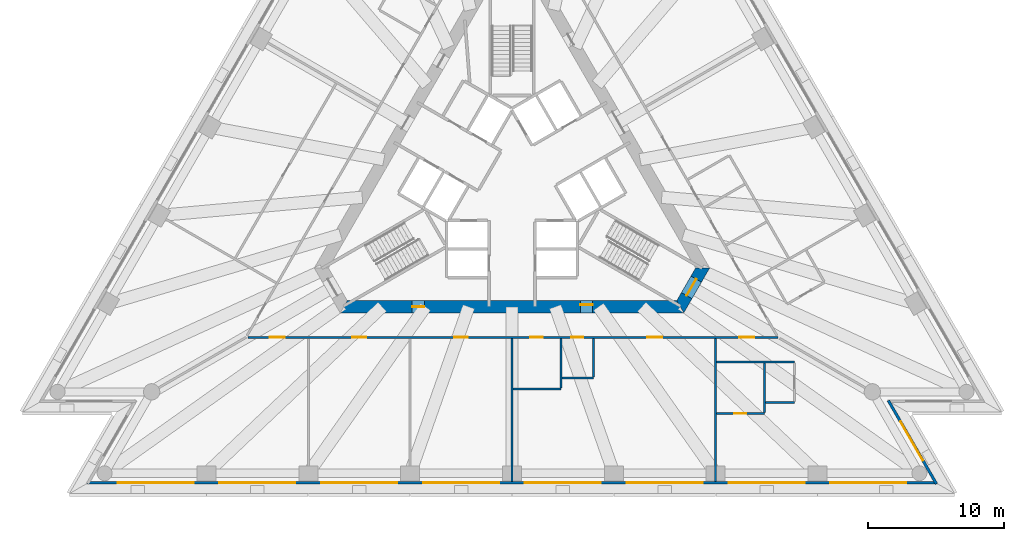
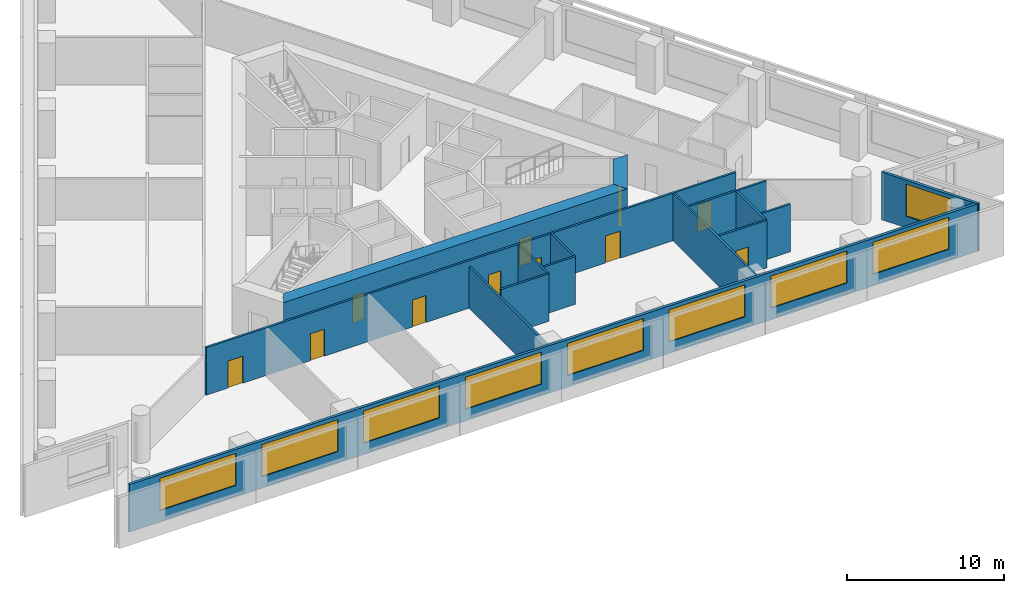
# One storey, part 4 of 9: 15 walls, 11 doors, 9 windows, 20 openings.
"""IFC4 building model written with IfcOpenShell, lengths in metres."""

from ifc_helpers import new_model, si_unit, direction, frame, frame_2d, origin, place, context, subcontext, project, spatial, polyline, rectangle, outline, extrude, material, layer, layer_set, layer_usage, type_object, element, fill, save


model = new_model("IFC4")

# Units and contexts
model_context = context("Model", 3, precision=1e-05, world=origin(), true_north=direction((0.0, 1.0)))
body_context = subcontext(model_context, "Body", "Model", "MODEL_VIEW")
ifc_project = project(units=[si_unit("LENGTHUNIT", "METRE"), si_unit("AREAUNIT", "SQUARE_METRE"), si_unit("VOLUMEUNIT", "CUBIC_METRE"), si_unit("PLANEANGLEUNIT", "RADIAN"), si_unit("MASSUNIT", "GRAM", prefix="KILO")], contexts=[model_context])

# Site, building, storey
site_placement = place(None, origin())
site = spatial("IfcSite", under=ifc_project, at=site_placement, CompositionType="ELEMENT")
building_placement = place(site_placement, origin())
building = spatial("IfcBuilding", under=site, at=building_placement, Name="Triada Interchange Tower", CompositionType="ELEMENT")
storey_placement = place(building_placement, frame((0.0, 0.0, 55.300048828125)))
storey = spatial("IfcBuildingStorey", under=building, at=storey_placement, Name="L11", CompositionType="ELEMENT", Elevation=55.300048828125)

# Wall, openings, doors
ifc_material_1 = material(Name="Concrete C70/85", Category="concrete")
ifc_layer_1 = layer(ifc_material_1, 0.89990234375)
ifc_layer_set_1 = layer_set([ifc_layer_1], Name="Core wall A 900")
wall_type_1 = type_object("IfcWallType", Name="Core wall A 900", PredefinedType="SHEAR", material=ifc_layer_set_1)
wall_1_placement = place(storey_placement, frame((-12.384033203125, -9.050048828125, -0.300048828125), z_axis=(0.0, 0.0, 1.0), x_axis=(1.0, 0.0, 0.0)))
wall_1 = element("IfcWall", 1, at=wall_1_placement, inside=storey, type_object=wall_type_1, Name="Core wall WA04 L11", PredefinedType="SHEAR", context=body_context, shape_type="SweptSolid", body=[
    extrude(outline(polyline([(-0.260009765625, -0.449951171875), (1.685302734375, -0.449951171875), (3.63037109375, -0.449951171875), (5.57568359375, -0.449951171875), (7.52099609375, -0.449951171875), (9.466064453125, -0.449951171875), (11.411376953125, -0.449951171875), (13.356689453125, -0.449951171875), (15.302001953125, -0.449951171875), (17.2470703125, -0.449951171875), (19.1923828125, -0.449951171875), (21.1376953125, -0.449951171875), (23.082763671875, -0.449951171875), (25.028076171875, -0.449951171875), (24.508056640625, 0.449951171875), (22.642822265625, 0.449951171875), (20.777587890625, 0.449951171875), (18.912353515625, 0.449951171875), (17.047119140625, 0.449951171875), (15.181884765625, 0.449951171875), (13.316650390625, 0.449951171875), (11.451416015625, 0.449951171875), (9.586181640625, 0.449951171875), (7.720947265625, 0.449951171875), (5.855712890625, 0.449951171875), (3.990478515625, 0.449951171875), (2.125244140625, 0.449951171875), (0.260009765625, 0.449951171875), (-0.260009765625, -0.449951171875)])), origin(), (0.0, 0.0, 1.0), 4.0),
])
opening_1_placement = place(wall_1_placement, frame((5.0400390625, 0.0, 0.300048828125)))
opening_1 = element("IfcOpeningElement", 2, at=opening_1_placement, cuts=wall_1, Name="Opening D09-40", PredefinedType="OPENING", context=body_context, shape_type="SweptSolid", body=[
    extrude(rectangle(XDim=0.89990234375, YDim=2.10009765625, at=frame_2d((0.449951171875, 1.050048828125))), frame((0.0, 0.4599609375, 0.0), z_axis=(0.0, -1.0, 0.0), x_axis=(1.0, 0.0, 0.0)), (0.0, 0.0, 1.0), 0.919921875),
])
opening_2_placement = place(wall_1_placement, frame((17.425048828125, 0.0, 0.300048828125)))
opening_2 = element("IfcOpeningElement", 3, at=opening_2_placement, cuts=wall_1, Name="Opening D09-41", PredefinedType="OPENING", context=body_context, shape_type="SweptSolid", body=[
    extrude(rectangle(XDim=0.89990234375, YDim=2.10009765625, at=frame_2d((0.449951171875, 1.050048828125))), frame((0.0, 0.4599609375, 0.0), z_axis=(0.0, -1.0, 0.0), x_axis=(1.0, 0.0, 0.0)), (0.0, 0.0, 1.0), 0.919921875),
])
ifc_material_2 = material(Name="Steel S235 door leaf", Category="steel")
door_type_1 = type_object("IfcDoorType", Name="SERVICE DOOR 900 EI2 45-C5S200", OperationType="NOTDEFINED", PredefinedType="DOOR", material=ifc_material_2)
door_1_placement = place(opening_1_placement, origin())
door_1 = element("IfcDoor", 4, at=door_1_placement, inside=storey, type_object=door_type_1, Name="Door D09-40 L11", OperationType="SINGLE_SWING_LEFT", OverallHeight=2.10009765625, OverallWidth=0.89990234375, PredefinedType="DOOR", context=body_context, shape_type="SweptSolid", body=[
    extrude(rectangle(XDim=0.89990234375, YDim=2.10009765625, at=frame_2d((0.449951171875, 1.050048828125))), frame((0.0, 0.02490234375, 0.0), z_axis=(0.0, -1.0, 0.0), x_axis=(1.0, 0.0, 0.0)), (0.0, 0.0, 1.0), 0.050048828125),
])
fill(opening_1, door_1)
door_2_placement = place(opening_2_placement, origin())
door_2 = element("IfcDoor", 5, at=door_2_placement, inside=storey, type_object=door_type_1, Name="Door D09-41 L11", OperationType="SINGLE_SWING_LEFT", OverallHeight=2.10009765625, OverallWidth=0.89990234375, PredefinedType="DOOR", context=body_context, shape_type="SweptSolid", body=[
    extrude(rectangle(XDim=0.89990234375, YDim=2.10009765625, at=frame_2d((0.449951171875, 1.050048828125))), frame((0.0, 0.1748046875, 0.0), z_axis=(0.0, -1.0, 0.0), x_axis=(1.0, 0.0, 0.0)), (0.0, 0.0, 1.0), 0.050048828125),
])
fill(opening_2, door_2)

# Wall, opening, door
wall_2_placement = place(storey_placement, frame((12.384033203125, -9.050048828125, -0.300048828125), z_axis=(0.0, 0.0, 1.0), x_axis=(0.500111984565, 0.865960739811, 0.0)))
wall_2 = element("IfcWall", 6, at=wall_2_placement, inside=storey, type_object=wall_type_1, Name="Core wall WA05 L11", PredefinedType="SHEAR", context=body_context, shape_type="SweptSolid", body=[
    extrude(outline(polyline([(-0.260009765625, -0.449951171875), (1.6455078125, -0.449462890625), (3.551025390625, -0.448974609375), (3.031005859375, 0.449951171875), (1.6455078125, 0.449951171875), (0.260009765625, 0.449951171875), (-0.260009765625, -0.449951171875)])), origin(), (0.0, 0.0, 1.0), 4.0),
])
opening_3_placement = place(wall_2_placement, frame((0.946044921875, 0.0, 0.300048828125)))
opening_3 = element("IfcOpeningElement", 7, at=opening_3_placement, cuts=wall_2, Name="Opening D09-38", PredefinedType="OPENING", context=body_context, shape_type="SweptSolid", body=[
    extrude(rectangle(XDim=1.39990234375, YDim=2.10009765625, at=frame_2d((0.699951171875, 1.050048828125))), frame((0.0, 0.4599609375, 0.0), z_axis=(0.0, -1.0, 0.0), x_axis=(1.0, 0.0, 0.0)), (0.0, 0.0, 1.0), 0.919921875),
])
door_type_2 = type_object("IfcDoorType", Name="STAIR DOOR 1400 EI2 90-C5S200", OperationType="DOUBLE_DOOR_SINGLE_SWING", PredefinedType="DOOR", material=ifc_material_2)
door_3_placement = place(opening_3_placement, origin())
door_3 = element("IfcDoor", 8, at=door_3_placement, inside=storey, type_object=door_type_2, Name="Door D09-38 L11", OperationType="DOUBLE_DOOR_SINGLE_SWING", OverallHeight=2.10009765625, OverallWidth=1.39990234375, PredefinedType="DOOR", context=body_context, shape_type="SweptSolid", body=[
    extrude(rectangle(XDim=1.39990234375, YDim=2.10009765625, at=frame_2d((0.699951171875, 1.050048828125))), frame((0.0, 0.02490234375, 0.0), z_axis=(0.0, -1.0, 0.0), x_axis=(1.0, 0.0, 0.0)), (0.0, 0.0, 1.0), 0.050048828125),
])
fill(opening_3, door_3)

# Wall, openings, windows
ifc_material_3 = material(Name="Cement board")
ifc_layer_2 = layer(ifc_material_3, 0.02001953125, Name="Cement board cladding")
ifc_material_4 = material(Name="Sheathing board")
ifc_layer_3 = layer(ifc_material_4, 0.014892578125, Name="Sheathing board")
ifc_material_5 = material(Name="Mineral wool")
ifc_layer_4 = layer(ifc_material_5, 0.14990234375, Name="Mineral wool between steel studs")
ifc_material_6 = material(Name="Gypsum board")
ifc_layer_5 = layer(ifc_material_6, 0.014892578125, Name="Plasterboard lining")
ifc_layer_set_2 = layer_set([ifc_layer_2, ifc_layer_3, ifc_layer_4, ifc_layer_5], Name="External wall 200")
ifc_layer_usage = layer_usage(ifc_layer_set_2, "AXIS2", "POSITIVE", -0.10009765625)
wall_type_2 = type_object("IfcWallType", Name="External wall 200", PredefinedType="ELEMENTEDWALL", material=ifc_layer_set_2)
wall_3_placement = place(storey_placement, frame((-31.283935546875, -22.007080078125, 0.0), z_axis=(0.0, 0.0, 1.0), x_axis=(1.0, 0.0, 0.0)))
wall_3 = element("IfcWall", 9, at=wall_3_placement, inside=storey, type_object=wall_type_2, material=ifc_layer_usage, Name="External wall L11 S", PredefinedType="ELEMENTEDWALL", context=body_context, shape_type="SweptSolid", body=[
    extrude(rectangle(XDim=62.5478515625, YDim=0.199951171875, at=frame_2d((31.27392578125, 0.0))), origin(), (0.0, 0.0, 1.0), 3.699951171875),
])
opening_4_placement = place(wall_3_placement, frame((2.2509765625, 0.0, 0.89990234375)))
opening_4 = element("IfcOpeningElement", 10, at=opening_4_placement, cuts=wall_3, Name="Opening WA11", PredefinedType="OPENING", context=body_context, shape_type="SweptSolid", body=[
    extrude(rectangle(XDim=5.60009765625, YDim=2.5, at=frame_2d((2.800048828125, 1.25))), frame((0.0, 0.10986328125, 0.0), z_axis=(0.0, -1.0, 0.0), x_axis=(1.0, 0.0, 0.0)), (0.0, 0.0, 1.0), 0.219970703125),
])
opening_5_placement = place(wall_3_placement, frame((9.74609375, 0.0, 0.89990234375)))
opening_5 = element("IfcOpeningElement", 11, at=opening_5_placement, cuts=wall_3, Name="Opening WA12", PredefinedType="OPENING", context=body_context, shape_type="SweptSolid", body=[
    extrude(rectangle(XDim=5.60009765625, YDim=2.5, at=frame_2d((2.800048828125, 1.25))), frame((0.0, 0.10986328125, 0.0), z_axis=(0.0, -1.0, 0.0), x_axis=(1.0, 0.0, 0.0)), (0.0, 0.0, 1.0), 0.219970703125),
])
opening_6_placement = place(wall_3_placement, frame((17.240966796875, 0.0, 0.89990234375)))
opening_6 = element("IfcOpeningElement", 12, at=opening_6_placement, cuts=wall_3, Name="Opening WA13", PredefinedType="OPENING", context=body_context, shape_type="SweptSolid", body=[
    extrude(rectangle(XDim=5.60009765625, YDim=2.5, at=frame_2d((2.800048828125, 1.25))), frame((0.0, 0.10986328125, 0.0), z_axis=(0.0, -1.0, 0.0), x_axis=(1.0, 0.0, 0.0)), (0.0, 0.0, 1.0), 0.219970703125),
])
opening_7_placement = place(wall_3_placement, frame((24.736083984375, 0.0, 0.89990234375)))
opening_7 = element("IfcOpeningElement", 13, at=opening_7_placement, cuts=wall_3, Name="Opening WA14", PredefinedType="OPENING", context=body_context, shape_type="SweptSolid", body=[
    extrude(rectangle(XDim=5.60009765625, YDim=2.5, at=frame_2d((2.800048828125, 1.25))), frame((0.0, 0.10986328125, 0.0), z_axis=(0.0, -1.0, 0.0), x_axis=(1.0, 0.0, 0.0)), (0.0, 0.0, 1.0), 0.219970703125),
])
opening_8_placement = place(wall_3_placement, frame((32.23193359375, 0.0, 0.89990234375)))
opening_8 = element("IfcOpeningElement", 14, at=opening_8_placement, cuts=wall_3, Name="Opening WA15", PredefinedType="OPENING", context=body_context, shape_type="SweptSolid", body=[
    extrude(rectangle(XDim=5.60009765625, YDim=2.5, at=frame_2d((2.800048828125, 1.25))), frame((0.0, 0.10986328125, 0.0), z_axis=(0.0, -1.0, 0.0), x_axis=(1.0, 0.0, 0.0)), (0.0, 0.0, 1.0), 0.219970703125),
])
opening_9_placement = place(wall_3_placement, frame((39.72705078125, 0.0, 0.89990234375)))
opening_9 = element("IfcOpeningElement", 15, at=opening_9_placement, cuts=wall_3, Name="Opening WA16", PredefinedType="OPENING", context=body_context, shape_type="SweptSolid", body=[
    extrude(rectangle(XDim=5.60009765625, YDim=2.5, at=frame_2d((2.800048828125, 1.25))), frame((0.0, 0.10986328125, 0.0), z_axis=(0.0, -1.0, 0.0), x_axis=(1.0, 0.0, 0.0)), (0.0, 0.0, 1.0), 0.219970703125),
])
opening_10_placement = place(wall_3_placement, frame((47.221923828125, 0.0, 0.89990234375)))
opening_10 = element("IfcOpeningElement", 16, at=opening_10_placement, cuts=wall_3, Name="Opening WA17", PredefinedType="OPENING", context=body_context, shape_type="SweptSolid", body=[
    extrude(rectangle(XDim=5.60009765625, YDim=2.5, at=frame_2d((2.800048828125, 1.25))), frame((0.0, 0.10986328125, 0.0), z_axis=(0.0, -1.0, 0.0), x_axis=(1.0, 0.0, 0.0)), (0.0, 0.0, 1.0), 0.219970703125),
])
opening_11_placement = place(wall_3_placement, frame((54.717041015625, 0.0, 0.89990234375)))
opening_11 = element("IfcOpeningElement", 17, at=opening_11_placement, cuts=wall_3, Name="Opening WA18", PredefinedType="OPENING", context=body_context, shape_type="SweptSolid", body=[
    extrude(rectangle(XDim=5.60009765625, YDim=2.5, at=frame_2d((2.800048828125, 1.25))), frame((0.0, 0.10986328125, 0.0), z_axis=(0.0, -1.0, 0.0), x_axis=(1.0, 0.0, 0.0)), (0.0, 0.0, 1.0), 0.219970703125),
])
ifc_material_7 = material(Name="Double glazed aluminium window", Category="aluminium")
window_type_1 = type_object("IfcWindowType", Name="Ribbon window A face", PartitioningType="SINGLE_PANEL", PredefinedType="WINDOW", material=ifc_material_7)
window_1_placement = place(opening_4_placement, origin())
window_1 = element("IfcWindow", 18, at=window_1_placement, inside=storey, type_object=window_type_1, Name="Window L11 S 1", OverallHeight=2.5, OverallWidth=5.60009765625, PartitioningType="SINGLE_PANEL", PredefinedType="WINDOW", context=body_context, shape_type="SweptSolid", body=[
    extrude(rectangle(XDim=5.60009765625, YDim=2.5, at=frame_2d((2.800048828125, 1.25))), frame((0.0, 0.030029296875, 0.0), z_axis=(0.0, -1.0, 0.0), x_axis=(1.0, 0.0, 0.0)), (0.0, 0.0, 1.0), 0.06005859375),
])
fill(opening_4, window_1)
window_2_placement = place(opening_5_placement, origin())
window_2 = element("IfcWindow", 19, at=window_2_placement, inside=storey, type_object=window_type_1, Name="Window L11 S 2", OverallHeight=2.5, OverallWidth=5.60009765625, PartitioningType="SINGLE_PANEL", PredefinedType="WINDOW", context=body_context, shape_type="SweptSolid", body=[
    extrude(rectangle(XDim=5.60009765625, YDim=2.5, at=frame_2d((2.800048828125, 1.25))), frame((0.0, 0.030029296875, 0.0), z_axis=(0.0, -1.0, 0.0), x_axis=(1.0, 0.0, 0.0)), (0.0, 0.0, 1.0), 0.06005859375),
])
fill(opening_5, window_2)
window_3_placement = place(opening_6_placement, origin())
window_3 = element("IfcWindow", 20, at=window_3_placement, inside=storey, type_object=window_type_1, Name="Window L11 S 3", OverallHeight=2.5, OverallWidth=5.60009765625, PartitioningType="SINGLE_PANEL", PredefinedType="WINDOW", context=body_context, shape_type="SweptSolid", body=[
    extrude(rectangle(XDim=5.60009765625, YDim=2.5, at=frame_2d((2.800048828125, 1.25))), frame((0.0, 0.030029296875, 0.0), z_axis=(0.0, -1.0, 0.0), x_axis=(1.0, 0.0, 0.0)), (0.0, 0.0, 1.0), 0.06005859375),
])
fill(opening_6, window_3)
window_4_placement = place(opening_7_placement, origin())
window_4 = element("IfcWindow", 21, at=window_4_placement, inside=storey, type_object=window_type_1, Name="Window L11 S 4", OverallHeight=2.5, OverallWidth=5.60009765625, PartitioningType="SINGLE_PANEL", PredefinedType="WINDOW", context=body_context, shape_type="SweptSolid", body=[
    extrude(rectangle(XDim=5.60009765625, YDim=2.5, at=frame_2d((2.800048828125, 1.25))), frame((0.0, 0.030029296875, 0.0), z_axis=(0.0, -1.0, 0.0), x_axis=(1.0, 0.0, 0.0)), (0.0, 0.0, 1.0), 0.06005859375),
])
fill(opening_7, window_4)
window_5_placement = place(opening_8_placement, origin())
window_5 = element("IfcWindow", 22, at=window_5_placement, inside=storey, type_object=window_type_1, Name="Window L11 S 5", OverallHeight=2.5, OverallWidth=5.60009765625, PartitioningType="SINGLE_PANEL", PredefinedType="WINDOW", context=body_context, shape_type="SweptSolid", body=[
    extrude(rectangle(XDim=5.60009765625, YDim=2.5, at=frame_2d((2.800048828125, 1.25))), frame((0.0, 0.030029296875, 0.0), z_axis=(0.0, -1.0, 0.0), x_axis=(1.0, 0.0, 0.0)), (0.0, 0.0, 1.0), 0.06005859375),
])
fill(opening_8, window_5)
window_6_placement = place(opening_9_placement, origin())
window_6 = element("IfcWindow", 23, at=window_6_placement, inside=storey, type_object=window_type_1, Name="Window L11 S 6", OverallHeight=2.5, OverallWidth=5.60009765625, PartitioningType="SINGLE_PANEL", PredefinedType="WINDOW", context=body_context, shape_type="SweptSolid", body=[
    extrude(rectangle(XDim=5.60009765625, YDim=2.5, at=frame_2d((2.800048828125, 1.25))), frame((0.0, 0.030029296875, 0.0), z_axis=(0.0, -1.0, 0.0), x_axis=(1.0, 0.0, 0.0)), (0.0, 0.0, 1.0), 0.06005859375),
])
fill(opening_9, window_6)
window_7_placement = place(opening_10_placement, origin())
window_7 = element("IfcWindow", 24, at=window_7_placement, inside=storey, type_object=window_type_1, Name="Window L11 S 7", OverallHeight=2.5, OverallWidth=5.60009765625, PartitioningType="SINGLE_PANEL", PredefinedType="WINDOW", context=body_context, shape_type="SweptSolid", body=[
    extrude(rectangle(XDim=5.60009765625, YDim=2.5, at=frame_2d((2.800048828125, 1.25))), frame((0.0, 0.030029296875, 0.0), z_axis=(0.0, -1.0, 0.0), x_axis=(1.0, 0.0, 0.0)), (0.0, 0.0, 1.0), 0.06005859375),
])
fill(opening_10, window_7)
window_8_placement = place(opening_11_placement, origin())
window_8 = element("IfcWindow", 25, at=window_8_placement, inside=storey, type_object=window_type_1, Name="Window L11 S 8", OverallHeight=2.5, OverallWidth=5.60009765625, PartitioningType="SINGLE_PANEL", PredefinedType="WINDOW", context=body_context, shape_type="SweptSolid", body=[
    extrude(rectangle(XDim=5.60009765625, YDim=2.5, at=frame_2d((2.800048828125, 1.25))), frame((0.0, 0.030029296875, 0.0), z_axis=(0.0, -1.0, 0.0), x_axis=(1.0, 0.0, 0.0)), (0.0, 0.0, 1.0), 0.06005859375),
])
fill(opening_11, window_8)

# Wall, opening, window
wall_4_placement = place(storey_placement, frame((31.239013671875, -22.0849609375, 0.0), z_axis=(0.0, 0.0, 1.0), x_axis=(-0.499993928037, 0.866028909405, 0.0)))
wall_4 = element("IfcWall", 26, at=wall_4_placement, inside=storey, type_object=wall_type_2, material=ifc_layer_usage, Name="External wall L11 SE-1", PredefinedType="ELEMENTEDWALL", context=body_context, shape_type="SweptSolid", body=[
    extrude(rectangle(XDim=7.083984375, YDim=0.199951171875, at=frame_2d((3.5419921875, 0.0))), origin(), (0.0, 0.0, 1.0), 3.699951171875),
])
opening_12_placement = place(wall_4_placement, frame((1.989990234375, 0.0, 0.89990234375)))
opening_12 = element("IfcOpeningElement", 27, at=opening_12_placement, cuts=wall_4, Name="Opening WA19", PredefinedType="OPENING", context=body_context, shape_type="SweptSolid", body=[
    extrude(rectangle(XDim=3.300048828125, YDim=2.5, at=frame_2d((1.64990234375, 1.25))), frame((0.0, 0.10986328125, 0.0), z_axis=(0.0, -1.0, 0.0), x_axis=(1.0, 0.0, 0.0)), (0.0, 0.0, 1.0), 0.219970703125),
])
window_type_2 = type_object("IfcWindowType", Name="Ribbon window A pocket", PartitioningType="SINGLE_PANEL", PredefinedType="WINDOW", material=ifc_material_7)
window_9_placement = place(opening_12_placement, origin())
window_9 = element("IfcWindow", 28, at=window_9_placement, inside=storey, type_object=window_type_2, Name="Window L11 SE-1 1", OverallHeight=2.5, OverallWidth=3.300048828125, PartitioningType="SINGLE_PANEL", PredefinedType="WINDOW", context=body_context, shape_type="SweptSolid", body=[
    extrude(rectangle(XDim=3.300048828125, YDim=2.5, at=frame_2d((1.64990234375, 1.25))), frame((0.0, 0.030029296875, 0.0), z_axis=(0.0, -1.0, 0.0), x_axis=(1.0, 0.0, 0.0)), (0.0, 0.0, 1.0), 0.06005859375),
])
fill(opening_12, window_9)

# Wall, openings, doors
ifc_material_8 = material(Name="Gypsum board partition")
ifc_layer_6 = layer(ifc_material_8, 0.14990234375)
ifc_layer_set_3 = layer_set([ifc_layer_6], Name="PARTITION 150 EI 180")
wall_type_3 = type_object("IfcWallType", Name="PARTITION 150 EI 180", PredefinedType="PARTITIONING", material=ifc_layer_set_3)
wall_5_placement = place(storey_placement, frame((-19.422119140625, -11.300048828125, 0.0), z_axis=(0.0, 0.0, 1.0), x_axis=(1.0, 0.0, 0.0)))
wall_5 = element("IfcWall", 29, at=wall_5_placement, inside=storey, type_object=wall_type_3, Name="Wall L09 5", PredefinedType="PARTITIONING", context=body_context, shape_type="SweptSolid", body=[
    extrude(rectangle(XDim=38.994140625, YDim=0.14990234375, at=frame_2d((19.4970703125, 0.0))), origin(), (0.0, 0.0, 1.0), 3.699951171875),
])
opening_13_placement = place(wall_5_placement, frame((1.60009765625, 0.0, 0.0)))
opening_13 = element("IfcOpeningElement", 30, at=opening_13_placement, cuts=wall_5, Name="Opening D09-11", PredefinedType="OPENING", context=body_context, shape_type="SweptSolid", body=[
    extrude(rectangle(XDim=1.10009765625, YDim=2.10009765625, at=frame_2d((0.550048828125, 1.050048828125))), frame((0.0, 0.0849609375, 0.0), z_axis=(0.0, -1.0, 0.0), x_axis=(1.0, 0.0, 0.0)), (0.0, 0.0, 1.0), 0.169921875),
])
opening_14_placement = place(wall_5_placement, frame((7.681884765625, 0.0, 0.0)))
opening_14 = element("IfcOpeningElement", 31, at=opening_14_placement, cuts=wall_5, Name="Opening D09-12", PredefinedType="OPENING", context=body_context, shape_type="SweptSolid", body=[
    extrude(rectangle(XDim=1.0, YDim=2.10009765625, at=frame_2d((0.5, 1.050048828125))), frame((0.0, 0.0849609375, 0.0), z_axis=(0.0, -1.0, 0.0), x_axis=(1.0, 0.0, 0.0)), (0.0, 0.0, 1.0), 0.169921875),
])
opening_15_placement = place(wall_5_placement, frame((15.177001953125, 0.0, 0.0)))
opening_15 = element("IfcOpeningElement", 32, at=opening_15_placement, cuts=wall_5, Name="Opening D09-13", PredefinedType="OPENING", context=body_context, shape_type="SweptSolid", body=[
    extrude(rectangle(XDim=1.0, YDim=2.10009765625, at=frame_2d((0.5, 1.050048828125))), frame((0.0, 0.0849609375, 0.0), z_axis=(0.0, -1.0, 0.0), x_axis=(1.0, 0.0, 0.0)), (0.0, 0.0, 1.0), 0.169921875),
])
opening_16_placement = place(wall_5_placement, frame((29.3720703125, 0.0, 0.0)))
opening_16 = element("IfcOpeningElement", 33, at=opening_16_placement, cuts=wall_5, Name="Opening D09-14", PredefinedType="OPENING", context=body_context, shape_type="SweptSolid", body=[
    extrude(rectangle(XDim=1.10009765625, YDim=2.10009765625, at=frame_2d((0.550048828125, 1.050048828125))), frame((0.0, 0.0849609375, 0.0), z_axis=(0.0, -1.0, 0.0), x_axis=(1.0, 0.0, 0.0)), (0.0, 0.0, 1.0), 0.169921875),
])
opening_17_placement = place(wall_5_placement, frame((20.77197265625, 0.0, 0.0)))
opening_17 = element("IfcOpeningElement", 34, at=opening_17_placement, cuts=wall_5, Name="Opening D09-15", PredefinedType="OPENING", context=body_context, shape_type="SweptSolid", body=[
    extrude(rectangle(XDim=0.89990234375, YDim=2.10009765625, at=frame_2d((0.449951171875, 1.050048828125))), frame((0.0, 0.0849609375, 0.0), z_axis=(0.0, -1.0, 0.0), x_axis=(1.0, 0.0, 0.0)), (0.0, 0.0, 1.0), 0.169921875),
])
opening_18_placement = place(wall_5_placement, frame((23.77197265625, 0.0, 0.0)))
opening_18 = element("IfcOpeningElement", 35, at=opening_18_placement, cuts=wall_5, Name="Opening D09-16", PredefinedType="OPENING", context=body_context, shape_type="SweptSolid", body=[
    extrude(rectangle(XDim=0.89990234375, YDim=2.10009765625, at=frame_2d((0.449951171875, 1.050048828125))), frame((0.0, 0.0849609375, 0.0), z_axis=(0.0, -1.0, 0.0), x_axis=(1.0, 0.0, 0.0)), (0.0, 0.0, 1.0), 0.169921875),
])
opening_19_placement = place(wall_5_placement, frame((36.1630859375, 0.0, 0.0)))
opening_19 = element("IfcOpeningElement", 36, at=opening_19_placement, cuts=wall_5, Name="Opening D09-17", PredefinedType="OPENING", context=body_context, shape_type="SweptSolid", body=[
    extrude(rectangle(XDim=1.10009765625, YDim=2.10009765625, at=frame_2d((0.550048828125, 1.050048828125))), frame((0.0, 0.0849609375, 0.0), z_axis=(0.0, -1.0, 0.0), x_axis=(1.0, 0.0, 0.0)), (0.0, 0.0, 1.0), 0.169921875),
])
door_type_3 = type_object("IfcDoorType", Name="ROOM DOOR 1000 EI2 90-C5S200", OperationType="NOTDEFINED", PredefinedType="DOOR", material=ifc_material_2)
door_4_placement = place(opening_14_placement, origin())
door_4 = element("IfcDoor", 37, at=door_4_placement, inside=storey, type_object=door_type_3, Name="Door D09-12 L11", OperationType="SINGLE_SWING_RIGHT", OverallHeight=2.10009765625, OverallWidth=1.0, PredefinedType="DOOR", context=body_context, shape_type="SweptSolid", body=[
    extrude(rectangle(XDim=1.0, YDim=2.10009765625, at=frame_2d((0.5, 1.050048828125))), frame((0.0, 0.02490234375, 0.0), z_axis=(0.0, -1.0, 0.0), x_axis=(1.0, 0.0, 0.0)), (0.0, 0.0, 1.0), 0.050048828125),
])
fill(opening_14, door_4)
door_5_placement = place(opening_15_placement, origin())
door_5 = element("IfcDoor", 38, at=door_5_placement, inside=storey, type_object=door_type_3, Name="Door D09-13 L11", OperationType="SINGLE_SWING_RIGHT", OverallHeight=2.10009765625, OverallWidth=1.0, PredefinedType="DOOR", context=body_context, shape_type="SweptSolid", body=[
    extrude(rectangle(XDim=1.0, YDim=2.10009765625, at=frame_2d((0.5, 1.050048828125))), frame((0.0, 0.02490234375, 0.0), z_axis=(0.0, -1.0, 0.0), x_axis=(1.0, 0.0, 0.0)), (0.0, 0.0, 1.0), 0.050048828125),
])
fill(opening_15, door_5)
door_type_4 = type_object("IfcDoorType", Name="ROOM DOOR 900 EI2 90-C5S200", OperationType="NOTDEFINED", PredefinedType="DOOR", material=ifc_material_2)
door_6_placement = place(opening_17_placement, origin())
door_6 = element("IfcDoor", 39, at=door_6_placement, inside=storey, type_object=door_type_4, Name="Door D09-15 L11", OperationType="SINGLE_SWING_RIGHT", OverallHeight=2.10009765625, OverallWidth=0.89990234375, PredefinedType="DOOR", context=body_context, shape_type="SweptSolid", body=[
    extrude(rectangle(XDim=0.89990234375, YDim=2.10009765625, at=frame_2d((0.449951171875, 1.050048828125))), frame((0.0, 0.02490234375, 0.0), z_axis=(0.0, -1.0, 0.0), x_axis=(1.0, 0.0, 0.0)), (0.0, 0.0, 1.0), 0.050048828125),
])
fill(opening_17, door_6)
door_7_placement = place(opening_18_placement, origin())
door_7 = element("IfcDoor", 40, at=door_7_placement, inside=storey, type_object=door_type_4, Name="Door D09-16 L11", OperationType="SINGLE_SWING_RIGHT", OverallHeight=2.10009765625, OverallWidth=0.89990234375, PredefinedType="DOOR", context=body_context, shape_type="SweptSolid", body=[
    extrude(rectangle(XDim=0.89990234375, YDim=2.10009765625, at=frame_2d((0.449951171875, 1.050048828125))), frame((0.0, 0.02490234375, 0.0), z_axis=(0.0, -1.0, 0.0), x_axis=(1.0, 0.0, 0.0)), (0.0, 0.0, 1.0), 0.050048828125),
])
fill(opening_18, door_7)
door_type_5 = type_object("IfcDoorType", Name="TENANCY ENTRANCE DOOR 1100 EI2 90-C5S200", OperationType="NOTDEFINED", PredefinedType="DOOR", material=ifc_material_2)
door_8_placement = place(opening_13_placement, origin())
door_8 = element("IfcDoor", 41, at=door_8_placement, inside=storey, type_object=door_type_5, Name="Door D09-11 L11", OperationType="SINGLE_SWING_RIGHT", OverallHeight=2.10009765625, OverallWidth=1.10009765625, PredefinedType="DOOR", context=body_context, shape_type="SweptSolid", body=[
    extrude(rectangle(XDim=1.10009765625, YDim=2.10009765625, at=frame_2d((0.550048828125, 1.050048828125))), frame((0.0, 0.02490234375, 0.0), z_axis=(0.0, -1.0, 0.0), x_axis=(1.0, 0.0, 0.0)), (0.0, 0.0, 1.0), 0.050048828125),
])
fill(opening_13, door_8)
door_9_placement = place(opening_16_placement, origin())
door_9 = element("IfcDoor", 42, at=door_9_placement, inside=storey, type_object=door_type_5, Name="Door D09-14 L11", OperationType="SINGLE_SWING_RIGHT", OverallHeight=2.10009765625, OverallWidth=1.10009765625, PredefinedType="DOOR", context=body_context, shape_type="SweptSolid", body=[
    extrude(rectangle(XDim=1.10009765625, YDim=2.10009765625, at=frame_2d((0.550048828125, 1.050048828125))), frame((0.0, 0.02490234375, 0.0), z_axis=(0.0, -1.0, 0.0), x_axis=(1.0, 0.0, 0.0)), (0.0, 0.0, 1.0), 0.050048828125),
])
fill(opening_16, door_9)
door_10_placement = place(opening_19_placement, origin())
door_10 = element("IfcDoor", 43, at=door_10_placement, inside=storey, type_object=door_type_5, Name="Door D09-17 L11", OperationType="SINGLE_SWING_LEFT", OverallHeight=2.10009765625, OverallWidth=1.10009765625, PredefinedType="DOOR", context=body_context, shape_type="SweptSolid", body=[
    extrude(rectangle(XDim=1.10009765625, YDim=2.10009765625, at=frame_2d((0.550048828125, 1.050048828125))), frame((0.0, 0.02490234375, 0.0), z_axis=(0.0, -1.0, 0.0), x_axis=(1.0, 0.0, 0.0)), (0.0, 0.0, 1.0), 0.050048828125),
])
fill(opening_19, door_10)

# Walls
wall_6_placement = place(storey_placement, frame((0.0, -21.927001953125, 0.0), z_axis=(0.0, 0.0, 1.0), x_axis=(0.0, 1.0, 0.0)))
element("IfcWall", 44, at=wall_6_placement, inside=storey, type_object=wall_type_3, Name="Wall L09 15", PredefinedType="PARTITIONING", context=body_context, shape_type="SweptSolid", body=[
    extrude(rectangle(XDim=10.552001953125, YDim=0.14990234375, at=frame_2d((5.27587890625, 0.0))), origin(), (0.0, 0.0, 1.0), 3.199951171875),
])
wall_7_placement = place(storey_placement, frame((0.074951171875, -15.10009765625, 0.0), z_axis=(0.0, 0.0, 1.0), x_axis=(1.0, 0.0, 0.0)))
element("IfcWall", 45, at=wall_7_placement, inside=storey, type_object=wall_type_3, Name="Wall L09 17", PredefinedType="PARTITIONING", context=body_context, shape_type="SweptSolid", body=[
    extrude(rectangle(XDim=3.525146484375, YDim=0.14990234375, at=frame_2d((1.7626953125, 0.0))), origin(), (0.0, 0.0, 1.0), 3.699951171875),
])
wall_8_placement = place(storey_placement, frame((3.60009765625, -15.02490234375, 0.0), z_axis=(0.0, 0.0, 1.0), x_axis=(0.0, 1.0, 0.0)))
element("IfcWall", 46, at=wall_8_placement, inside=storey, type_object=wall_type_3, Name="Wall L09 18", PredefinedType="PARTITIONING", context=body_context, shape_type="SweptSolid", body=[
    extrude(rectangle(XDim=3.64990234375, YDim=0.14990234375, at=frame_2d((1.824951171875, 0.0))), origin(), (0.0, 0.0, 1.0), 3.699951171875),
])
wall_9_placement = place(storey_placement, frame((3.675048828125, -14.300048828125, 0.0), z_axis=(0.0, 0.0, 1.0), x_axis=(1.0, 0.0, 0.0)))
element("IfcWall", 47, at=wall_9_placement, inside=storey, type_object=wall_type_3, Name="Wall L09 20", PredefinedType="PARTITIONING", context=body_context, shape_type="SweptSolid", body=[
    extrude(rectangle(XDim=2.324951171875, YDim=0.14990234375, at=frame_2d((1.16259765625, 0.0))), origin(), (0.0, 0.0, 1.0), 3.699951171875),
])
wall_10_placement = place(storey_placement, frame((6.0, -14.22509765625, 0.0), z_axis=(0.0, 0.0, 1.0), x_axis=(0.0, 1.0, 0.0)))
element("IfcWall", 48, at=wall_10_placement, inside=storey, type_object=wall_type_3, Name="Wall L09 21", PredefinedType="PARTITIONING", context=body_context, shape_type="SweptSolid", body=[
    extrude(rectangle(XDim=2.85009765625, YDim=0.14990234375, at=frame_2d((1.425048828125, 0.0))), origin(), (0.0, 0.0, 1.0), 3.699951171875),
])
wall_11_placement = place(storey_placement, frame((14.990966796875, -21.927001953125, 0.0), z_axis=(0.0, 0.0, 1.0), x_axis=(0.0, 1.0, 0.0)))
element("IfcWall", 49, at=wall_11_placement, inside=storey, type_object=wall_type_3, Name="Wall L09 25", PredefinedType="PARTITIONING", context=body_context, shape_type="SweptSolid", body=[
    extrude(rectangle(XDim=10.552001953125, YDim=0.14990234375, at=frame_2d((5.27587890625, 0.0))), origin(), (0.0, 0.0, 1.0), 3.699951171875),
])

# Wall, opening, door
ifc_layer_7 = layer(ifc_material_8, 0.14990234375)
ifc_layer_set_4 = layer_set([ifc_layer_7], Name="PARTITION 150 EI 90")
wall_type_4 = type_object("IfcWallType", Name="PARTITION 150 EI 90", PredefinedType="PARTITIONING", material=ifc_layer_set_4)
wall_12_placement = place(storey_placement, frame((15.06591796875, -16.89990234375, 0.0), z_axis=(0.0, 0.0, 1.0), x_axis=(1.0, 0.0, 0.0)))
wall_12 = element("IfcWall", 50, at=wall_12_placement, inside=storey, type_object=wall_type_4, Name="Wall L09 29", PredefinedType="PARTITIONING", context=body_context, shape_type="SweptSolid", body=[
    extrude(rectangle(XDim=3.525146484375, YDim=0.14990234375, at=frame_2d((1.7626953125, 0.0))), origin(), (0.0, 0.0, 1.0), 3.699951171875),
])
opening_20_placement = place(wall_12_placement, frame((1.27490234375, 0.0, 0.0)))
opening_20 = element("IfcOpeningElement", 51, at=opening_20_placement, cuts=wall_12, Name="Opening D09-18", PredefinedType="OPENING", context=body_context, shape_type="SweptSolid", body=[
    extrude(rectangle(XDim=0.89990234375, YDim=2.10009765625, at=frame_2d((0.449951171875, 1.050048828125))), frame((0.0, 0.0849609375, 0.0), z_axis=(0.0, -1.0, 0.0), x_axis=(1.0, 0.0, 0.0)), (0.0, 0.0, 1.0), 0.169921875),
])
door_type_6 = type_object("IfcDoorType", Name="ROOM DOOR 900 EI2 45-C5S200", OperationType="NOTDEFINED", PredefinedType="DOOR", material=ifc_material_2)
door_11_placement = place(opening_20_placement, origin())
door_11 = element("IfcDoor", 52, at=door_11_placement, inside=storey, type_object=door_type_6, Name="Door D09-18 L11", OperationType="SINGLE_SWING_LEFT", OverallHeight=2.10009765625, OverallWidth=0.89990234375, PredefinedType="DOOR", context=body_context, shape_type="SweptSolid", body=[
    extrude(rectangle(XDim=0.89990234375, YDim=2.10009765625, at=frame_2d((0.449951171875, 1.050048828125))), frame((0.0, 0.02490234375, 0.0), z_axis=(0.0, -1.0, 0.0), x_axis=(1.0, 0.0, 0.0)), (0.0, 0.0, 1.0), 0.050048828125),
])
fill(opening_20, door_11)

# Walls
wall_13_placement = place(storey_placement, frame((18.591064453125, -16.824951171875, 0.0), z_axis=(0.0, 0.0, 1.0), x_axis=(0.0, 1.0, 0.0)))
element("IfcWall", 53, at=wall_13_placement, inside=storey, type_object=wall_type_4, Name="Wall L09 30", PredefinedType="PARTITIONING", context=body_context, shape_type="SweptSolid", body=[
    extrude(rectangle(XDim=3.64990234375, YDim=0.14990234375, at=frame_2d((1.824951171875, 0.0))), origin(), (0.0, 0.0, 1.0), 3.699951171875),
])
wall_14_placement = place(storey_placement, frame((15.06591796875, -13.10009765625, 0.0), z_axis=(0.0, 0.0, 1.0), x_axis=(1.0, 0.0, 0.0)))
element("IfcWall", 54, at=wall_14_placement, inside=storey, type_object=wall_type_4, Name="Wall L09 31", PredefinedType="PARTITIONING", context=body_context, shape_type="SweptSolid", body=[
    extrude(rectangle(XDim=5.72509765625, YDim=0.14990234375, at=frame_2d((2.862548828125, 0.0))), origin(), (0.0, 0.0, 1.0), 3.699951171875),
])
wall_15_placement = place(storey_placement, frame((18.666015625, -16.10009765625, 0.0), z_axis=(0.0, 0.0, 1.0), x_axis=(1.0, 0.0, 0.0)))
element("IfcWall", 55, at=wall_15_placement, inside=storey, type_object=wall_type_4, Name="Wall L09 32", PredefinedType="PARTITIONING", context=body_context, shape_type="SweptSolid", body=[
    extrude(rectangle(XDim=2.125, YDim=0.14990234375, at=frame_2d((1.0625, 0.0))), origin(), (0.0, 0.0, 1.0), 3.699951171875),
])

save(model, "model.ifc")
